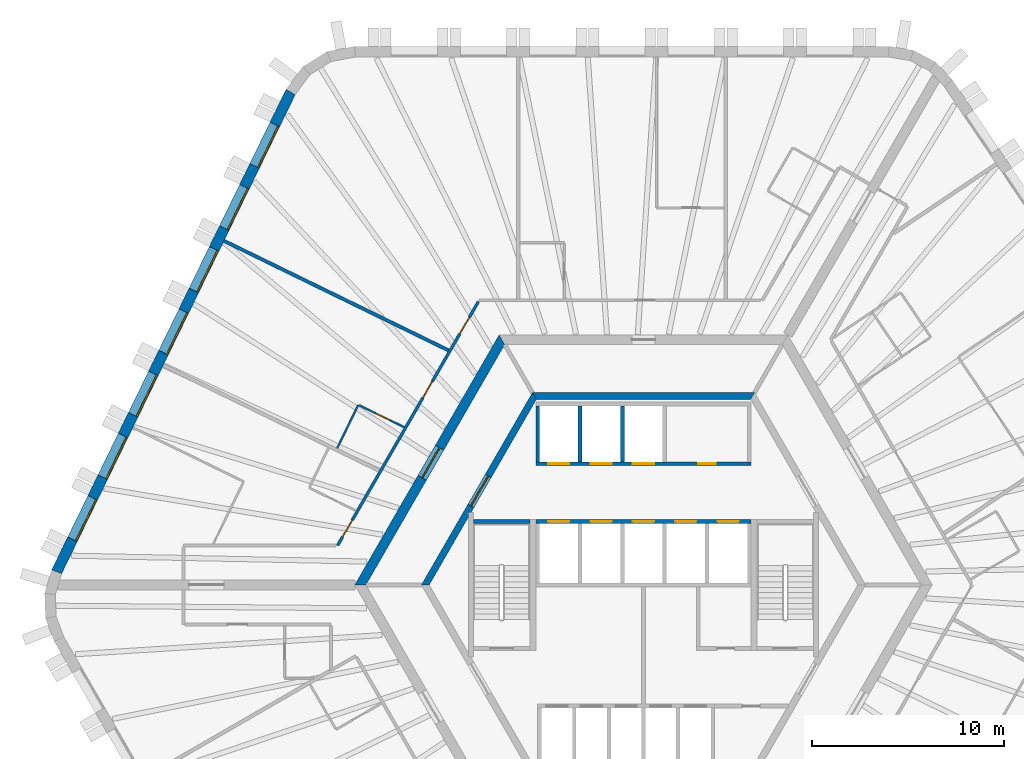
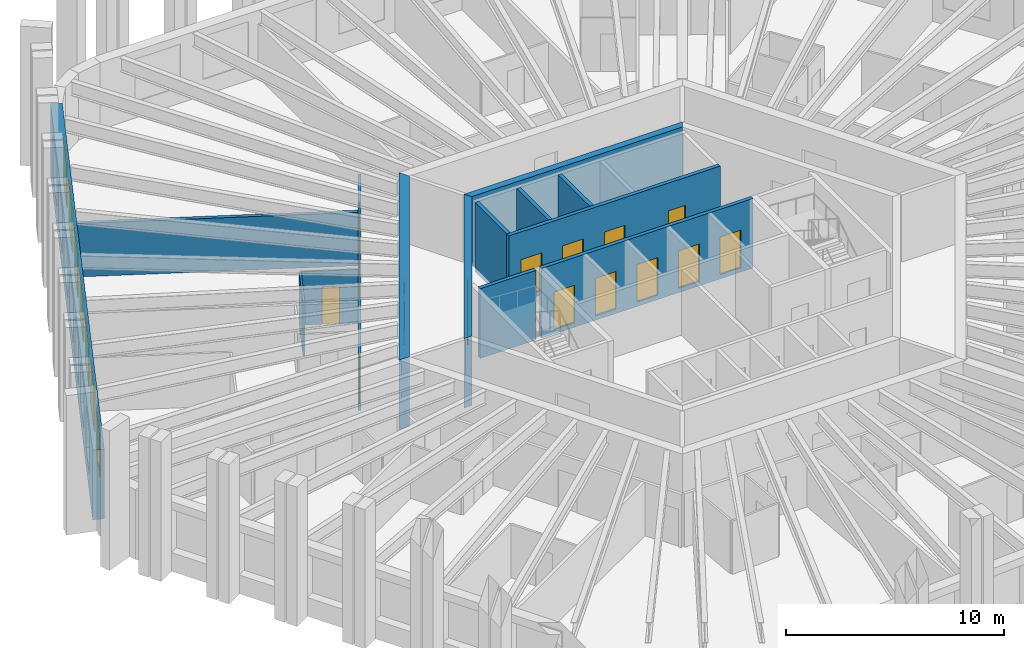
# One storey, part 7 of 10: 15 doors, 14 walls, 7 windows, 22 openings.
"""IFC4 building model written with IfcOpenShell, lengths in metres."""

from ifc_helpers import new_model, si_unit, direction, frame, frame_2d, origin, place, context, subcontext, project, spatial, polyline, rectangle, outline, extrude, material, layer, layer_set, type_object, element, fill, save


model = new_model("IFC4")

# Units and contexts
model_context = context("Model", 3, precision=1e-05, world=origin(), true_north=direction((0.0, 1.0)))
body_context = subcontext(model_context, "Body", "Model", "MODEL_VIEW")
ifc_project = project(units=[si_unit("LENGTHUNIT", "METRE"), si_unit("AREAUNIT", "SQUARE_METRE"), si_unit("VOLUMEUNIT", "CUBIC_METRE"), si_unit("PLANEANGLEUNIT", "RADIAN"), si_unit("MASSUNIT", "GRAM", prefix="KILO")], contexts=[model_context])

# Site, building, storey
site_placement = place(None, origin())
site = spatial("IfcSite", under=ifc_project, at=site_placement, CompositionType="ELEMENT")
building_placement = place(site_placement, origin())
building = spatial("IfcBuilding", under=site, at=building_placement, Name="Tarnside Tower", CompositionType="ELEMENT")
storey_placement = place(building_placement, frame((0.0, 0.0, 176.10009765625)))
storey = spatial("IfcBuildingStorey", under=building, at=storey_placement, Name="L41", CompositionType="ELEMENT", Elevation=176.10009765625)

# Wall
ifc_material_1 = material(Name="Gypsum board partition on steel studs", Category="steel")
ifc_layer_1 = layer(ifc_material_1, 0.10009765625)
ifc_layer_set_1 = layer_set([ifc_layer_1], Name="Bathroom wall 100")
wall_type_1 = type_object("IfcWallType", Name="Bathroom wall 100", PredefinedType="PARTITIONING", material=ifc_layer_set_1)
wall_1_placement = place(storey_placement, frame((-15.927490234375, 7.109619140625, 0.0), z_axis=(0.0, 0.0, 1.0), x_axis=(0.438398718232, 0.898780598284, 0.0)))
element("IfcWall", 1, at=wall_1_placement, inside=storey, type_object=wall_type_1, Name="Bathroom wall 13061", PredefinedType="PARTITIONING", context=body_context, shape_type="SweptSolid", body=[
    extrude(rectangle(XDim=2.510009765625, YDim=0.10009765625, at=frame_2d((1.2548828125, 0.0))), origin(), (0.0, 0.0, 1.0), 2.98779296875),
])

# Wall, opening, door
wall_2_placement = place(storey_placement, frame((-14.7822265625, 9.34375, 0.0), z_axis=(0.0, 0.0, 1.0), x_axis=(0.898770247069, -0.438419939081, 0.0)))
wall_2 = element("IfcWall", 2, at=wall_2_placement, inside=storey, type_object=wall_type_1, Name="Bathroom wall 13062", PredefinedType="PARTITIONING", context=body_context, shape_type="SweptSolid", body=[
    extrude(rectangle(XDim=2.60498046875, YDim=0.10009765625, at=frame_2d((1.302490234375, 0.0))), origin(), (0.0, 0.0, 1.0), 2.98779296875),
])
opening_1_placement = place(wall_2_placement, frame((0.949951171875, 0.0, 0.0)))
opening_1 = element("IfcOpeningElement", 3, at=opening_1_placement, cuts=wall_2, Name="Opening D-B1", PredefinedType="OPENING", context=body_context, shape_type="SweptSolid", body=[
    extrude(rectangle(XDim=0.800048828125, YDim=2.10009765625, at=frame_2d((0.39990234375, 1.050048828125))), frame((0.0, 0.06005859375, 0.0), z_axis=(0.0, -1.0, 0.0), x_axis=(1.0, 0.0, 0.0)), (0.0, 0.0, 1.0), 0.1201171875),
])
ifc_material_2 = material(Name="Timber door leaf", Category="wood")
door_type_1 = type_object("IfcDoorType", Name="Bathroom door 800", OperationType="NOTDEFINED", PredefinedType="DOOR", material=ifc_material_2)
door_1_placement = place(opening_1_placement, origin())
door_1 = element("IfcDoor", 4, at=door_1_placement, inside=storey, type_object=door_type_1, Name="Bathroom door 13008", OperationType="SINGLE_SWING_LEFT", OverallHeight=2.10009765625, OverallWidth=0.800048828125, PredefinedType="DOOR", context=body_context, shape_type="SweptSolid", body=[
    extrude(rectangle(XDim=0.800048828125, YDim=2.10009765625, at=frame_2d((0.39990234375, 1.050048828125))), frame((0.0, 0.02490234375, 0.0), z_axis=(0.0, -1.0, 0.0), x_axis=(1.0, 0.0, 0.0)), (0.0, 0.0, 1.0), 0.050048828125),
])
fill(opening_1, door_1)

ifc_material_3 = material(Name="Concrete C50/60", Category="concrete")
ifc_layer_2 = layer(ifc_material_3, 0.35009765625)
ifc_layer_set_2 = layer_set([ifc_layer_2], Name="Core block wall 350 C50/60")
wall_type_2 = type_object("IfcWallType", Name="Core block wall 350 C50/60", PredefinedType="SHEAR", material=ifc_layer_set_2)
wall_3_placement = place(storey_placement, frame((-5.672607421875, 9.824951171875, -0.150146484375), z_axis=(0.0, 0.0, 1.0), x_axis=(-0.499995046907, -0.866028263435, 0.0)))
wall_3 = element("IfcWall", 5, at=wall_3_placement, inside=storey, type_object=wall_type_2, Name="L41 core block wall face 2", PredefinedType="SHEAR", context=body_context, shape_type="SweptSolid", body=[
    extrude(outline(polyline([(-0.10107421875, -0.175048828125), (11.44580078125, -0.175048828125), (11.24365234375, 0.175048828125), (0.10107421875, 0.175048828125), (-0.10107421875, -0.175048828125)])), origin(), (0.0, 0.0, 1.0), 3.900146484375),
])
opening_2_placement = place(wall_3_placement, frame((4.80126953125, 0.0, 0.14990234375)))
opening_2 = element("IfcOpeningElement", 6, at=opening_2_placement, cuts=wall_3, Name="Opening CD-LOB", PredefinedType="OPENING", context=body_context, shape_type="SweptSolid", body=[
    extrude(rectangle(XDim=1.800048828125, YDim=2.39990234375, at=frame_2d((0.89990234375, 1.199951171875))), frame((0.0, 0.18505859375, 0.0), z_axis=(0.0, -1.0, 0.0), x_axis=(1.0, 0.0, 0.0)), (0.0, 0.0, 1.0), 0.3701171875),
])
ifc_material_4 = material(Name="Steel fire door", Category="steel")
door_type_2 = type_object("IfcDoorType", Name="Lobby double door FD30S 1800x2400", OperationType="NOTDEFINED", PredefinedType="DOOR", material=ifc_material_4)
door_2_placement = place(opening_2_placement, origin())
door_2 = element("IfcDoor", 7, at=door_2_placement, inside=storey, type_object=door_type_2, Name="L41 lobby block door P1", OperationType="DOUBLE_DOOR_SINGLE_SWING", OverallHeight=2.39990234375, OverallWidth=1.800048828125, PredefinedType="DOOR", context=body_context, shape_type="SweptSolid", body=[
    extrude(rectangle(XDim=1.800048828125, YDim=2.39990234375, at=frame_2d((0.89990234375, 1.199951171875))), frame((0.0, 0.02490234375, 0.0), z_axis=(0.0, -1.0, 0.0), x_axis=(1.0, 0.0, 0.0)), (0.0, 0.0, 1.0), 0.050048828125),
])
fill(opening_2, door_2)

# Wall
wall_4_placement = place(storey_placement, frame((5.672607421875, 9.824951171875, -0.150146484375), z_axis=(0.0, 0.0, 1.0), x_axis=(-1.0, 0.0, 0.0)))
element("IfcWall", 8, at=wall_4_placement, inside=storey, type_object=wall_type_2, Name="L41 core block wall face 1", PredefinedType="SHEAR", context=body_context, shape_type="SweptSolid", body=[
    extrude(outline(polyline([(-0.10107421875, -0.175048828125), (11.4462890625, -0.175048828125), (11.244140625, 0.175048828125), (0.10107421875, 0.175048828125), (-0.10107421875, -0.175048828125)])), origin(), (0.0, 0.0, 1.0), 3.900146484375),
])

# Wall, opening, door
ifc_material_5 = material(Name="Concrete C70/85", Category="concrete")
ifc_layer_3 = layer(ifc_material_5, 0.5)
ifc_layer_set_3 = layer_set([ifc_layer_3], Name="Core wall Z2 500 C70/85")
wall_type_3 = type_object("IfcWallType", Name="Core wall Z2 500 C70/85", PredefinedType="SHEAR", material=ifc_layer_set_3)
wall_5_placement = place(storey_placement, frame((-7.361083984375, 12.75, -0.150146484375), z_axis=(0.0, 0.0, 1.0), x_axis=(-0.50000571537, -0.866022103989, 0.0)))
wall_5 = element("IfcWall", 9, at=wall_5_placement, inside=storey, type_object=wall_type_3, Name="L41 core wall face 2", PredefinedType="SHEAR", context=body_context, shape_type="SweptSolid", body=[
    extrude(outline(polyline([(-0.144287109375, -0.25), (14.86669921875, -0.25), (14.578125, 0.25), (0.144287109375, 0.25), (-0.144287109375, -0.25)])), origin(), (0.0, 0.0, 1.0), 3.900146484375),
])
opening_3_placement = place(wall_5_placement, frame((6.489990234375, 0.0, 0.14990234375)))
opening_3 = element("IfcOpeningElement", 10, at=opening_3_placement, cuts=wall_5, Name="Opening CD-LOB", PredefinedType="OPENING", context=body_context, shape_type="SweptSolid", body=[
    extrude(rectangle(XDim=1.800048828125, YDim=2.39990234375, at=frame_2d((0.89990234375, 1.199951171875))), frame((0.0, 0.260009765625, 0.0), z_axis=(0.0, -1.0, 0.0), x_axis=(1.0, 0.0, 0.0)), (0.0, 0.0, 1.0), 0.52001953125),
])
door_3_placement = place(opening_3_placement, origin())
door_3 = element("IfcDoor", 11, at=door_3_placement, inside=storey, type_object=door_type_2, Name="L41 core door P1", OperationType="DOUBLE_DOOR_SINGLE_SWING", OverallHeight=2.39990234375, OverallWidth=1.800048828125, PredefinedType="DOOR", context=body_context, shape_type="SweptSolid", body=[
    extrude(rectangle(XDim=1.800048828125, YDim=2.39990234375, at=frame_2d((0.89990234375, 1.199951171875))), frame((0.0, 0.02490234375, 0.0), z_axis=(0.0, -1.0, 0.0), x_axis=(1.0, 0.0, 0.0)), (0.0, 0.0, 1.0), 0.050048828125),
])
fill(opening_3, door_3)

# Wall, openings, doors
ifc_layer_4 = layer(ifc_material_1, 0.14990234375)
ifc_layer_set_4 = layer_set([ifc_layer_4], Name="Corridor wall 150 EI 60")
wall_type_4 = type_object("IfcWallType", Name="Corridor wall 150 EI 60", PredefinedType="PARTITIONING", material=ifc_layer_set_4)
wall_6_placement = place(storey_placement, frame((-8.588134765625, 14.72509765625, 0.0), z_axis=(0.0, 0.0, 1.0), x_axis=(-0.499996322767, -0.866027526826, 0.0)))
wall_6 = element("IfcWall", 12, at=wall_6_placement, inside=storey, type_object=wall_type_4, Name="Corridor wall 13009", PredefinedType="PARTITIONING", context=body_context, shape_type="SweptSolid", body=[
    extrude(rectangle(XDim=14.6357421875, YDim=0.14990234375, at=frame_2d((7.31787109375, 0.0))), origin(), (0.0, 0.0, 1.0), 2.98779296875),
])
opening_4_placement = place(wall_6_placement, frame((0.936279296875, 0.0, 0.0)))
opening_4 = element("IfcOpeningElement", 13, at=opening_4_placement, cuts=wall_6, Name="Opening D-E1", PredefinedType="OPENING", context=body_context, shape_type="SweptSolid", body=[
    extrude(rectangle(XDim=1.0, YDim=2.10009765625, at=frame_2d((0.5, 1.050048828125))), frame((0.0, 0.0849609375, 0.0), z_axis=(0.0, -1.0, 0.0), x_axis=(1.0, 0.0, 0.0)), (0.0, 0.0, 1.0), 0.169921875),
])
opening_5_placement = place(wall_6_placement, frame((4.771240234375, 0.0, 0.0)))
opening_5 = element("IfcOpeningElement", 14, at=opening_5_placement, cuts=wall_6, Name="Opening D-E1", PredefinedType="OPENING", context=body_context, shape_type="SweptSolid", body=[
    extrude(rectangle(XDim=1.0, YDim=2.10009765625, at=frame_2d((0.5, 1.050048828125))), frame((0.0, 0.0849609375, 0.0), z_axis=(0.0, -1.0, 0.0), x_axis=(1.0, 0.0, 0.0)), (0.0, 0.0, 1.0), 0.169921875),
])
opening_6_placement = place(wall_6_placement, frame((13.103271484375, 0.0, 0.0)))
opening_6 = element("IfcOpeningElement", 15, at=opening_6_placement, cuts=wall_6, Name="Opening D-E1", PredefinedType="OPENING", context=body_context, shape_type="SweptSolid", body=[
    extrude(rectangle(XDim=1.0, YDim=2.10009765625, at=frame_2d((0.5, 1.050048828125))), frame((0.0, 0.0849609375, 0.0), z_axis=(0.0, -1.0, 0.0), x_axis=(1.0, 0.0, 0.0)), (0.0, 0.0, 1.0), 0.169921875),
])
door_type_3 = type_object("IfcDoorType", Name="Unit entrance door 1000 FD30S", OperationType="NOTDEFINED", PredefinedType="DOOR", material=ifc_material_2)
door_4_placement = place(opening_4_placement, origin())
door_4 = element("IfcDoor", 16, at=door_4_placement, inside=storey, type_object=door_type_3, Name="Unit door 13006", OperationType="SINGLE_SWING_RIGHT", OverallHeight=2.10009765625, OverallWidth=1.0, PredefinedType="DOOR", context=body_context, shape_type="SweptSolid", body=[
    extrude(rectangle(XDim=1.0, YDim=2.10009765625, at=frame_2d((0.5, 1.050048828125))), frame((0.0, 0.02490234375, 0.0), z_axis=(0.0, -1.0, 0.0), x_axis=(1.0, 0.0, 0.0)), (0.0, 0.0, 1.0), 0.050048828125),
])
fill(opening_4, door_4)
door_5_placement = place(opening_5_placement, origin())
door_5 = element("IfcDoor", 17, at=door_5_placement, inside=storey, type_object=door_type_3, Name="Unit door 13007", OperationType="SINGLE_SWING_LEFT", OverallHeight=2.10009765625, OverallWidth=1.0, PredefinedType="DOOR", context=body_context, shape_type="SweptSolid", body=[
    extrude(rectangle(XDim=1.0, YDim=2.10009765625, at=frame_2d((0.5, 1.050048828125))), frame((0.0, 0.02490234375, 0.0), z_axis=(0.0, -1.0, 0.0), x_axis=(1.0, 0.0, 0.0)), (0.0, 0.0, 1.0), 0.050048828125),
])
fill(opening_5, door_5)
door_6_placement = place(opening_6_placement, origin())
door_6 = element("IfcDoor", 18, at=door_6_placement, inside=storey, type_object=door_type_3, Name="Unit door 13009", OperationType="SINGLE_SWING_LEFT", OverallHeight=2.10009765625, OverallWidth=1.0, PredefinedType="DOOR", context=body_context, shape_type="SweptSolid", body=[
    extrude(rectangle(XDim=1.0, YDim=2.10009765625, at=frame_2d((0.5, 1.050048828125))), frame((0.0, 0.02490234375, 0.0), z_axis=(0.0, -1.0, 0.0), x_axis=(1.0, 0.0, 0.0)), (0.0, 0.0, 1.0), 0.050048828125),
])
fill(opening_6, door_6)

# Wall
ifc_layer_5 = layer(ifc_material_1, 0.179931640625)
ifc_layer_set_5 = layer_set([ifc_layer_5], Name="Demising wall 180 EI 60")
wall_type_5 = type_object("IfcWallType", Name="Demising wall 180 EI 60", PredefinedType="PARTITIONING", material=ifc_layer_set_5)
wall_7_placement = place(storey_placement, frame((-21.814697265625, 17.8916015625, 0.0), z_axis=(0.0, 0.0, 1.0), x_axis=(0.898798778742, -0.43836144371, 0.0)))
element("IfcWall", 19, at=wall_7_placement, inside=storey, type_object=wall_type_5, Name="Demising wall 13060", PredefinedType="PARTITIONING", context=body_context, shape_type="SweptSolid", body=[
    extrude(rectangle(XDim=12.994384765625, YDim=0.179931640625, at=frame_2d((6.4970703125, 0.0))), origin(), (0.0, 0.0, 1.0), 2.98779296875),
])

# Wall, openings, doors
ifc_material_6 = material(Name="Concrete C40/50", Category="concrete")
ifc_layer_6 = layer(ifc_material_6, 0.199951171875)
ifc_layer_set_6 = layer_set([ifc_layer_6], Name="Lift shaft wall 200 C40/50")
wall_type_6 = type_object("IfcWallType", Name="Lift shaft wall 200 C40/50", PredefinedType="SHEAR", material=ifc_layer_set_6)
wall_8_placement = place(storey_placement, frame((-5.60009765625, 6.300048828125, -0.25), z_axis=(0.0, 0.0, 1.0), x_axis=(1.0, 0.0, 0.0)))
wall_8 = element("IfcWall", 20, at=wall_8_placement, inside=storey, type_object=wall_type_6, Name="L41 lift shaft front wall R1", PredefinedType="SHEAR", context=body_context, shape_type="SweptSolid", body=[
    extrude(rectangle(XDim=11.2001953125, YDim=0.199951171875, at=frame_2d((5.60009765625, 0.0))), origin(), (0.0, 0.0, 1.0), 3.89990234375),
])
opening_7_placement = place(wall_8_placement, frame((8.449951171875, 0.0, 0.25)))
opening_7 = element("IfcOpeningElement", 21, at=opening_7_placement, cuts=wall_8, Name="Opening CD-room", PredefinedType="OPENING", context=body_context, shape_type="SweptSolid", body=[
    extrude(rectangle(XDim=0.89990234375, YDim=2.10009765625, at=frame_2d((0.449951171875, 1.050048828125))), frame((0.0, 0.10986328125, 0.0), z_axis=(0.0, -1.0, 0.0), x_axis=(1.0, 0.0, 0.0)), (0.0, 0.0, 1.0), 0.219970703125),
])
opening_8_placement = place(wall_8_placement, frame((0.64990234375, 0.0, 0.25)))
opening_8 = element("IfcOpeningElement", 22, at=opening_8_placement, cuts=wall_8, Name="Opening LD", PredefinedType="OPENING", context=body_context, shape_type="SweptSolid", body=[
    extrude(rectangle(XDim=1.10009765625, YDim=2.10009765625, at=frame_2d((0.550048828125, 1.050048828125))), frame((0.0, 0.10986328125, 0.0), z_axis=(0.0, -1.0, 0.0), x_axis=(1.0, 0.0, 0.0)), (0.0, 0.0, 1.0), 0.219970703125),
])
opening_9_placement = place(wall_8_placement, frame((2.85009765625, 0.0, 0.25)))
opening_9 = element("IfcOpeningElement", 23, at=opening_9_placement, cuts=wall_8, Name="Opening LD", PredefinedType="OPENING", context=body_context, shape_type="SweptSolid", body=[
    extrude(rectangle(XDim=1.10009765625, YDim=2.10009765625, at=frame_2d((0.550048828125, 1.050048828125))), frame((0.0, 0.10986328125, 0.0), z_axis=(0.0, -1.0, 0.0), x_axis=(1.0, 0.0, 0.0)), (0.0, 0.0, 1.0), 0.219970703125),
])
opening_10_placement = place(wall_8_placement, frame((5.050048828125, 0.0, 0.25)))
opening_10 = element("IfcOpeningElement", 24, at=opening_10_placement, cuts=wall_8, Name="Opening LD", PredefinedType="OPENING", context=body_context, shape_type="SweptSolid", body=[
    extrude(rectangle(XDim=1.10009765625, YDim=2.10009765625, at=frame_2d((0.550048828125, 1.050048828125))), frame((0.0, 0.10986328125, 0.0), z_axis=(0.0, -1.0, 0.0), x_axis=(1.0, 0.0, 0.0)), (0.0, 0.0, 1.0), 0.219970703125),
])
ifc_material_7 = material(Name="Stainless steel", Category="steel")
door_type_4 = type_object("IfcDoorType", Name="Lift landing door 1100x2100", OperationType="NOTDEFINED", PredefinedType="DOOR", material=ifc_material_7)
door_7_placement = place(opening_8_placement, origin())
door_7 = element("IfcDoor", 25, at=door_7_placement, inside=storey, type_object=door_type_4, Name="Mid-rise lift 1 landing door L41", OperationType="SLIDING_TO_LEFT", OverallHeight=2.10009765625, OverallWidth=1.10009765625, PredefinedType="DOOR", context=body_context, shape_type="SweptSolid", body=[
    extrude(rectangle(XDim=1.10009765625, YDim=2.10009765625, at=frame_2d((0.550048828125, 1.050048828125))), frame((0.0, 0.02490234375, 0.0), z_axis=(0.0, -1.0, 0.0), x_axis=(1.0, 0.0, 0.0)), (0.0, 0.0, 1.0), 0.050048828125),
])
fill(opening_8, door_7)
door_8_placement = place(opening_9_placement, origin())
door_8 = element("IfcDoor", 26, at=door_8_placement, inside=storey, type_object=door_type_4, Name="Mid-rise lift 2 landing door L41", OperationType="SLIDING_TO_LEFT", OverallHeight=2.10009765625, OverallWidth=1.10009765625, PredefinedType="DOOR", context=body_context, shape_type="SweptSolid", body=[
    extrude(rectangle(XDim=1.10009765625, YDim=2.10009765625, at=frame_2d((0.550048828125, 1.050048828125))), frame((0.0, 0.02490234375, 0.0), z_axis=(0.0, -1.0, 0.0), x_axis=(1.0, 0.0, 0.0)), (0.0, 0.0, 1.0), 0.050048828125),
])
fill(opening_9, door_8)
door_9_placement = place(opening_10_placement, origin())
door_9 = element("IfcDoor", 27, at=door_9_placement, inside=storey, type_object=door_type_4, Name="Mid-rise lift 3 landing door L41", OperationType="SLIDING_TO_LEFT", OverallHeight=2.10009765625, OverallWidth=1.10009765625, PredefinedType="DOOR", context=body_context, shape_type="SweptSolid", body=[
    extrude(rectangle(XDim=1.10009765625, YDim=2.10009765625, at=frame_2d((0.550048828125, 1.050048828125))), frame((0.0, 0.02490234375, 0.0), z_axis=(0.0, -1.0, 0.0), x_axis=(1.0, 0.0, 0.0)), (0.0, 0.0, 1.0), 0.050048828125),
])
fill(opening_10, door_9)
door_type_5 = type_object("IfcDoorType", Name="Room door FD60 900x2100", OperationType="NOTDEFINED", PredefinedType="DOOR", material=ifc_material_4)
door_10_placement = place(opening_7_placement, origin())
door_10 = element("IfcDoor", 28, at=door_10_placement, inside=storey, type_object=door_type_5, Name="L41 core room door FC1", OperationType="SINGLE_SWING_LEFT", OverallHeight=2.10009765625, OverallWidth=0.89990234375, PredefinedType="DOOR", context=body_context, shape_type="SweptSolid", body=[
    extrude(rectangle(XDim=0.89990234375, YDim=2.10009765625, at=frame_2d((0.449951171875, 1.050048828125))), frame((0.0, 0.02490234375, 0.0), z_axis=(0.0, -1.0, 0.0), x_axis=(1.0, 0.0, 0.0)), (0.0, 0.0, 1.0), 0.050048828125),
])
fill(opening_7, door_10)

# Walls
for number, where, z_axis, x_axis, name in (
    (29, (-5.5, 6.39990234375, -0.25), (0.0, 0.0, 1.0), (0.0, 1.0, 0.0), "L41 lift shaft partition R11"),
    (30, (-3.300048828125, 6.39990234375, -0.25), (0.0, 0.0, 1.0), (0.0, 1.0, 0.0), "L41 lift shaft partition R12"),
    (31, (-1.10009765625, 6.39990234375, -0.25), (0.0, 0.0, 1.0), (0.0, 1.0, 0.0), "L41 lift shaft partition R13"),
):
    element("IfcWall", number, at=place(storey_placement, frame(where, z_axis=z_axis, x_axis=x_axis)), inside=storey, type_object=wall_type_6, Name=name, PredefinedType="SHEAR", context=body_context, shape_type="SweptSolid", body=[
        extrude(rectangle(XDim=2.900146484375, YDim=0.199951171875, at=frame_2d((1.4501953125, 0.0))), origin(), (0.0, 0.0, 1.0), 3.89990234375),
    ])

# Wall, openings, doors
wall_9_placement = place(storey_placement, frame((-5.60009765625, 3.300048828125, -0.25), z_axis=(0.0, 0.0, 1.0), x_axis=(1.0, 0.0, 0.0)))
wall_9 = element("IfcWall", 32, at=wall_9_placement, inside=storey, type_object=wall_type_6, Name="L41 lift shaft front wall R2", PredefinedType="SHEAR", context=body_context, shape_type="SweptSolid", body=[
    extrude(rectangle(XDim=11.2001953125, YDim=0.199951171875, at=frame_2d((5.60009765625, 0.0))), origin(), (0.0, 0.0, 1.0), 3.89990234375),
])
opening_11_placement = place(wall_9_placement, frame((0.64990234375, 0.0, 0.25)))
opening_11 = element("IfcOpeningElement", 33, at=opening_11_placement, cuts=wall_9, Name="Opening LD", PredefinedType="OPENING", context=body_context, shape_type="SweptSolid", body=[
    extrude(rectangle(XDim=1.10009765625, YDim=2.10009765625, at=frame_2d((0.550048828125, 1.050048828125))), frame((0.0, 0.10986328125, 0.0), z_axis=(0.0, -1.0, 0.0), x_axis=(1.0, 0.0, 0.0)), (0.0, 0.0, 1.0), 0.219970703125),
])
opening_12_placement = place(wall_9_placement, frame((2.85009765625, 0.0, 0.25)))
opening_12 = element("IfcOpeningElement", 34, at=opening_12_placement, cuts=wall_9, Name="Opening LD", PredefinedType="OPENING", context=body_context, shape_type="SweptSolid", body=[
    extrude(rectangle(XDim=1.10009765625, YDim=2.10009765625, at=frame_2d((0.550048828125, 1.050048828125))), frame((0.0, 0.10986328125, 0.0), z_axis=(0.0, -1.0, 0.0), x_axis=(1.0, 0.0, 0.0)), (0.0, 0.0, 1.0), 0.219970703125),
])
opening_13_placement = place(wall_9_placement, frame((5.050048828125, 0.0, 0.25)))
opening_13 = element("IfcOpeningElement", 35, at=opening_13_placement, cuts=wall_9, Name="Opening LD", PredefinedType="OPENING", context=body_context, shape_type="SweptSolid", body=[
    extrude(rectangle(XDim=1.10009765625, YDim=2.10009765625, at=frame_2d((0.550048828125, 1.050048828125))), frame((0.0, 0.10986328125, 0.0), z_axis=(0.0, -1.0, 0.0), x_axis=(1.0, 0.0, 0.0)), (0.0, 0.0, 1.0), 0.219970703125),
])
opening_14_placement = place(wall_9_placement, frame((7.25, 0.0, 0.25)))
opening_14 = element("IfcOpeningElement", 36, at=opening_14_placement, cuts=wall_9, Name="Opening LD", PredefinedType="OPENING", context=body_context, shape_type="SweptSolid", body=[
    extrude(rectangle(XDim=1.10009765625, YDim=2.10009765625, at=frame_2d((0.550048828125, 1.050048828125))), frame((0.0, 0.10986328125, 0.0), z_axis=(0.0, -1.0, 0.0), x_axis=(1.0, 0.0, 0.0)), (0.0, 0.0, 1.0), 0.219970703125),
])
opening_15_placement = place(wall_9_placement, frame((9.449951171875, 0.0, 0.25)))
opening_15 = element("IfcOpeningElement", 37, at=opening_15_placement, cuts=wall_9, Name="Opening LD", PredefinedType="OPENING", context=body_context, shape_type="SweptSolid", body=[
    extrude(rectangle(XDim=1.10009765625, YDim=2.10009765625, at=frame_2d((0.550048828125, 1.050048828125))), frame((0.0, 0.10986328125, 0.0), z_axis=(0.0, -1.0, 0.0), x_axis=(1.0, 0.0, 0.0)), (0.0, 0.0, 1.0), 0.219970703125),
])
door_11_placement = place(opening_11_placement, origin())
door_11 = element("IfcDoor", 38, at=door_11_placement, inside=storey, type_object=door_type_4, Name="Mid-rise lift 4 landing door L41", OperationType="SLIDING_TO_LEFT", OverallHeight=2.10009765625, OverallWidth=1.10009765625, PredefinedType="DOOR", context=body_context, shape_type="SweptSolid", body=[
    extrude(rectangle(XDim=1.10009765625, YDim=2.10009765625, at=frame_2d((0.550048828125, 1.050048828125))), frame((0.0, 0.02490234375, 0.0), z_axis=(0.0, -1.0, 0.0), x_axis=(1.0, 0.0, 0.0)), (0.0, 0.0, 1.0), 0.050048828125),
])
fill(opening_11, door_11)
door_12_placement = place(opening_12_placement, origin())
door_12 = element("IfcDoor", 39, at=door_12_placement, inside=storey, type_object=door_type_4, Name="Mid-rise lift 5 landing door L41", OperationType="SLIDING_TO_LEFT", OverallHeight=2.10009765625, OverallWidth=1.10009765625, PredefinedType="DOOR", context=body_context, shape_type="SweptSolid", body=[
    extrude(rectangle(XDim=1.10009765625, YDim=2.10009765625, at=frame_2d((0.550048828125, 1.050048828125))), frame((0.0, 0.02490234375, 0.0), z_axis=(0.0, -1.0, 0.0), x_axis=(1.0, 0.0, 0.0)), (0.0, 0.0, 1.0), 0.050048828125),
])
fill(opening_12, door_12)
door_13_placement = place(opening_13_placement, origin())
door_13 = element("IfcDoor", 40, at=door_13_placement, inside=storey, type_object=door_type_4, Name="Mid-rise lift 6 landing door L41", OperationType="SLIDING_TO_LEFT", OverallHeight=2.10009765625, OverallWidth=1.10009765625, PredefinedType="DOOR", context=body_context, shape_type="SweptSolid", body=[
    extrude(rectangle(XDim=1.10009765625, YDim=2.10009765625, at=frame_2d((0.550048828125, 1.050048828125))), frame((0.0, 0.02490234375, 0.0), z_axis=(0.0, -1.0, 0.0), x_axis=(1.0, 0.0, 0.0)), (0.0, 0.0, 1.0), 0.050048828125),
])
fill(opening_13, door_13)
door_14_placement = place(opening_14_placement, origin())
door_14 = element("IfcDoor", 41, at=door_14_placement, inside=storey, type_object=door_type_4, Name="High sky-lobby shuttle 1 landing door L41", OperationType="SLIDING_TO_LEFT", OverallHeight=2.10009765625, OverallWidth=1.10009765625, PredefinedType="DOOR", context=body_context, shape_type="SweptSolid", body=[
    extrude(rectangle(XDim=1.10009765625, YDim=2.10009765625, at=frame_2d((0.550048828125, 1.050048828125))), frame((0.0, 0.02490234375, 0.0), z_axis=(0.0, -1.0, 0.0), x_axis=(1.0, 0.0, 0.0)), (0.0, 0.0, 1.0), 0.050048828125),
])
fill(opening_14, door_14)
door_15_placement = place(opening_15_placement, origin())
door_15 = element("IfcDoor", 42, at=door_15_placement, inside=storey, type_object=door_type_4, Name="Express sky-lobby shuttle 2 landing door L41", OperationType="SLIDING_TO_LEFT", OverallHeight=2.10009765625, OverallWidth=1.10009765625, PredefinedType="DOOR", context=body_context, shape_type="SweptSolid", body=[
    extrude(rectangle(XDim=1.10009765625, YDim=2.10009765625, at=frame_2d((0.550048828125, 1.050048828125))), frame((0.0, 0.02490234375, 0.0), z_axis=(0.0, -1.0, 0.0), x_axis=(1.0, 0.0, 0.0)), (0.0, 0.0, 1.0), 0.050048828125),
])
fill(opening_15, door_15)

# Wall
wall_10_placement = place(storey_placement, frame((-8.85009765625, 3.300048828125, -0.25), z_axis=(0.0, 0.0, 1.0), x_axis=(1.0, 0.0, 0.0)))
element("IfcWall", 43, at=wall_10_placement, inside=storey, type_object=wall_type_6, Name="L41 stair 2 enclosure cap wall n", PredefinedType="SHEAR", context=body_context, shape_type="SweptSolid", body=[
    extrude(rectangle(XDim=2.9501953125, YDim=0.199951171875, at=frame_2d((1.47509765625, 0.0))), origin(), (0.0, 0.0, 1.0), 3.89990234375),
])

# Wall, openings, windows
ifc_material_8 = material(Name="Facing brick", Category="masonry")
ifc_layer_7 = layer(ifc_material_8, 0.10205078125)
ifc_material_9 = material(Name="Concrete C60/75 precast", Category="concrete")
ifc_layer_8 = layer(ifc_material_9, 0.347900390625)
ifc_material_10 = material(Name="Mineral wool insulation")
ifc_layer_9 = layer(ifc_material_10, 0.10009765625)
ifc_layer_set_7 = layer_set([ifc_layer_7, ifc_layer_8, ifc_layer_9], Name="Tube wall 550 brick faced")
wall_type_7 = type_object("IfcWallType", Name="Tube wall 550 brick faced", PredefinedType="SOLIDWALL", material=ifc_layer_set_7)
wall_11_placement = place(storey_placement, frame((-18.344970703125, 25.6328125, -0.150146484375), z_axis=(0.0, 0.0, 1.0), x_axis=(-0.43837181828, -0.898793718791, 0.0)))
wall_11 = element("IfcWall", 44, at=wall_11_placement, inside=storey, type_object=wall_type_7, Name="Tube wall L41 F2 flush 04", PredefinedType="SOLIDWALL", context=body_context, shape_type="SweptSolid", body=[
    extrude(outline(polyline([(-0.025634765625, -0.27490234375), (27.7802734375, -0.27490234375), (27.7353515625, 0.27490234375), (0.025634765625, 0.27490234375), (-0.025634765625, -0.27490234375)])), origin(), (0.0, 0.0, 1.0), 3.900146484375),
])
opening_16_placement = place(wall_11_placement, frame((1.87890625, 0.0, 1.050048828125)))
opening_16 = element("IfcOpeningElement", 45, at=opening_16_placement, cuts=wall_11, Name="Opening WH", PredefinedType="OPENING", context=body_context, shape_type="SweptSolid", body=[
    extrude(rectangle(XDim=2.39990234375, YDim=2.39990234375, at=frame_2d((1.199951171875, 1.199951171875))), frame((0.0, 0.28515625, 0.0), z_axis=(0.0, -1.0, 0.0), x_axis=(1.0, 0.0, 0.0)), (0.0, 0.0, 1.0), 0.570068359375),
])
opening_17_placement = place(wall_11_placement, frame((5.47900390625, 0.0, 1.050048828125)))
opening_17 = element("IfcOpeningElement", 46, at=opening_17_placement, cuts=wall_11, Name="Opening WH", PredefinedType="OPENING", context=body_context, shape_type="SweptSolid", body=[
    extrude(rectangle(XDim=2.39990234375, YDim=2.39990234375, at=frame_2d((1.199951171875, 1.199951171875))), frame((0.0, 0.28515625, 0.0), z_axis=(0.0, -1.0, 0.0), x_axis=(1.0, 0.0, 0.0)), (0.0, 0.0, 1.0), 0.570068359375),
])
opening_18_placement = place(wall_11_placement, frame((9.078857421875, 0.0, 1.050048828125)))
opening_18 = element("IfcOpeningElement", 47, at=opening_18_placement, cuts=wall_11, Name="Opening WH", PredefinedType="OPENING", context=body_context, shape_type="SweptSolid", body=[
    extrude(rectangle(XDim=2.39990234375, YDim=2.39990234375, at=frame_2d((1.199951171875, 1.199951171875))), frame((0.0, 0.28515625, 0.0), z_axis=(0.0, -1.0, 0.0), x_axis=(1.0, 0.0, 0.0)), (0.0, 0.0, 1.0), 0.570068359375),
])
opening_19_placement = place(wall_11_placement, frame((12.678955078125, 0.0, 1.050048828125)))
opening_19 = element("IfcOpeningElement", 48, at=opening_19_placement, cuts=wall_11, Name="Opening WH", PredefinedType="OPENING", context=body_context, shape_type="SweptSolid", body=[
    extrude(rectangle(XDim=2.39990234375, YDim=2.39990234375, at=frame_2d((1.199951171875, 1.199951171875))), frame((0.0, 0.28515625, 0.0), z_axis=(0.0, -1.0, 0.0), x_axis=(1.0, 0.0, 0.0)), (0.0, 0.0, 1.0), 0.570068359375),
])
opening_20_placement = place(wall_11_placement, frame((16.27880859375, 0.0, 1.050048828125)))
opening_20 = element("IfcOpeningElement", 49, at=opening_20_placement, cuts=wall_11, Name="Opening WH", PredefinedType="OPENING", context=body_context, shape_type="SweptSolid", body=[
    extrude(rectangle(XDim=2.39990234375, YDim=2.39990234375, at=frame_2d((1.199951171875, 1.199951171875))), frame((0.0, 0.28515625, 0.0), z_axis=(0.0, -1.0, 0.0), x_axis=(1.0, 0.0, 0.0)), (0.0, 0.0, 1.0), 0.570068359375),
])
opening_21_placement = place(wall_11_placement, frame((19.87890625, 0.0, 1.050048828125)))
opening_21 = element("IfcOpeningElement", 50, at=opening_21_placement, cuts=wall_11, Name="Opening WH", PredefinedType="OPENING", context=body_context, shape_type="SweptSolid", body=[
    extrude(rectangle(XDim=2.39990234375, YDim=2.39990234375, at=frame_2d((1.199951171875, 1.199951171875))), frame((0.0, 0.28515625, 0.0), z_axis=(0.0, -1.0, 0.0), x_axis=(1.0, 0.0, 0.0)), (0.0, 0.0, 1.0), 0.570068359375),
])
opening_22_placement = place(wall_11_placement, frame((23.47900390625, 0.0, 1.050048828125)))
opening_22 = element("IfcOpeningElement", 51, at=opening_22_placement, cuts=wall_11, Name="Opening WH", PredefinedType="OPENING", context=body_context, shape_type="SweptSolid", body=[
    extrude(rectangle(XDim=2.39990234375, YDim=2.39990234375, at=frame_2d((1.199951171875, 1.199951171875))), frame((0.0, 0.28515625, 0.0), z_axis=(0.0, -1.0, 0.0), x_axis=(1.0, 0.0, 0.0)), (0.0, 0.0, 1.0), 0.570068359375),
])
ifc_material_11 = material(Name="Aluminium-framed double glazing", Category="aluminium")
window_type = type_object("IfcWindowType", Name="Hotel window 2400 x 2400", PartitioningType="DOUBLE_PANEL_VERTICAL", PredefinedType="WINDOW", material=ifc_material_11)
window_1_placement = place(opening_16_placement, frame((0.0, 0.205078125, 0.0)))
window_1 = element("IfcWindow", 52, at=window_1_placement, inside=storey, type_object=window_type, Name="E.WN.L41.F2.00", OverallHeight=2.39990234375, OverallWidth=2.39990234375, PartitioningType="DOUBLE_PANEL_VERTICAL", PredefinedType="WINDOW", context=body_context, shape_type="SweptSolid", body=[
    extrude(rectangle(XDim=2.39990234375, YDim=2.39990234375, at=frame_2d((1.199951171875, 1.199951171875))), frame((0.0, 0.030029296875, 0.0), z_axis=(0.0, -1.0, 0.0), x_axis=(1.0, 0.0, 0.0)), (0.0, 0.0, 1.0), 0.06005859375),
])
fill(opening_16, window_1)
window_2_placement = place(opening_17_placement, frame((0.0, 0.205078125, 0.0)))
window_2 = element("IfcWindow", 53, at=window_2_placement, inside=storey, type_object=window_type, Name="E.WN.L41.F2.01", OverallHeight=2.39990234375, OverallWidth=2.39990234375, PartitioningType="DOUBLE_PANEL_VERTICAL", PredefinedType="WINDOW", context=body_context, shape_type="SweptSolid", body=[
    extrude(rectangle(XDim=2.39990234375, YDim=2.39990234375, at=frame_2d((1.199951171875, 1.199951171875))), frame((0.0, 0.030029296875, 0.0), z_axis=(0.0, -1.0, 0.0), x_axis=(1.0, 0.0, 0.0)), (0.0, 0.0, 1.0), 0.06005859375),
])
fill(opening_17, window_2)
window_3_placement = place(opening_18_placement, frame((0.0, 0.205078125, 0.0)))
window_3 = element("IfcWindow", 54, at=window_3_placement, inside=storey, type_object=window_type, Name="E.WN.L41.F2.02", OverallHeight=2.39990234375, OverallWidth=2.39990234375, PartitioningType="DOUBLE_PANEL_VERTICAL", PredefinedType="WINDOW", context=body_context, shape_type="SweptSolid", body=[
    extrude(rectangle(XDim=2.39990234375, YDim=2.39990234375, at=frame_2d((1.199951171875, 1.199951171875))), frame((0.0, 0.030029296875, 0.0), z_axis=(0.0, -1.0, 0.0), x_axis=(1.0, 0.0, 0.0)), (0.0, 0.0, 1.0), 0.06005859375),
])
fill(opening_18, window_3)
window_4_placement = place(opening_19_placement, frame((0.0, 0.205078125, 0.0)))
window_4 = element("IfcWindow", 55, at=window_4_placement, inside=storey, type_object=window_type, Name="E.WN.L41.F2.03", OverallHeight=2.39990234375, OverallWidth=2.39990234375, PartitioningType="DOUBLE_PANEL_VERTICAL", PredefinedType="WINDOW", context=body_context, shape_type="SweptSolid", body=[
    extrude(rectangle(XDim=2.39990234375, YDim=2.39990234375, at=frame_2d((1.199951171875, 1.199951171875))), frame((0.0, 0.030029296875, 0.0), z_axis=(0.0, -1.0, 0.0), x_axis=(1.0, 0.0, 0.0)), (0.0, 0.0, 1.0), 0.06005859375),
])
fill(opening_19, window_4)
window_5_placement = place(opening_20_placement, frame((0.0, 0.205078125, 0.0)))
window_5 = element("IfcWindow", 56, at=window_5_placement, inside=storey, type_object=window_type, Name="E.WN.L41.F2.04", OverallHeight=2.39990234375, OverallWidth=2.39990234375, PartitioningType="DOUBLE_PANEL_VERTICAL", PredefinedType="WINDOW", context=body_context, shape_type="SweptSolid", body=[
    extrude(rectangle(XDim=2.39990234375, YDim=2.39990234375, at=frame_2d((1.199951171875, 1.199951171875))), frame((0.0, 0.030029296875, 0.0), z_axis=(0.0, -1.0, 0.0), x_axis=(1.0, 0.0, 0.0)), (0.0, 0.0, 1.0), 0.06005859375),
])
fill(opening_20, window_5)
window_6_placement = place(opening_21_placement, frame((0.0, 0.205078125, 0.0)))
window_6 = element("IfcWindow", 57, at=window_6_placement, inside=storey, type_object=window_type, Name="E.WN.L41.F2.05", OverallHeight=2.39990234375, OverallWidth=2.39990234375, PartitioningType="DOUBLE_PANEL_VERTICAL", PredefinedType="WINDOW", context=body_context, shape_type="SweptSolid", body=[
    extrude(rectangle(XDim=2.39990234375, YDim=2.39990234375, at=frame_2d((1.199951171875, 1.199951171875))), frame((0.0, 0.030029296875, 0.0), z_axis=(0.0, -1.0, 0.0), x_axis=(1.0, 0.0, 0.0)), (0.0, 0.0, 1.0), 0.06005859375),
])
fill(opening_21, window_6)
window_7_placement = place(opening_22_placement, frame((0.0, 0.205078125, 0.0)))
window_7 = element("IfcWindow", 58, at=window_7_placement, inside=storey, type_object=window_type, Name="E.WN.L41.F2.06", OverallHeight=2.39990234375, OverallWidth=2.39990234375, PartitioningType="DOUBLE_PANEL_VERTICAL", PredefinedType="WINDOW", context=body_context, shape_type="SweptSolid", body=[
    extrude(rectangle(XDim=2.39990234375, YDim=2.39990234375, at=frame_2d((1.199951171875, 1.199951171875))), frame((0.0, 0.030029296875, 0.0), z_axis=(0.0, -1.0, 0.0), x_axis=(1.0, 0.0, 0.0)), (0.0, 0.0, 1.0), 0.06005859375),
])
fill(opening_22, window_7)

save(model, "model.ifc")
